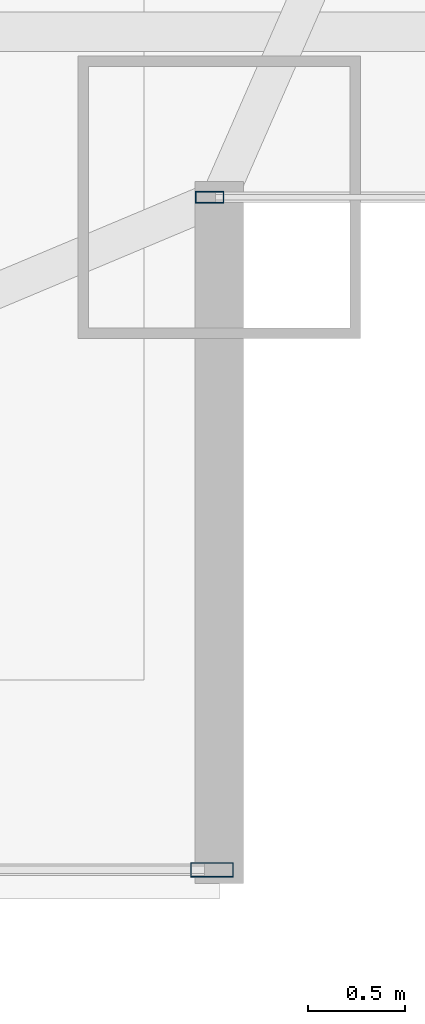
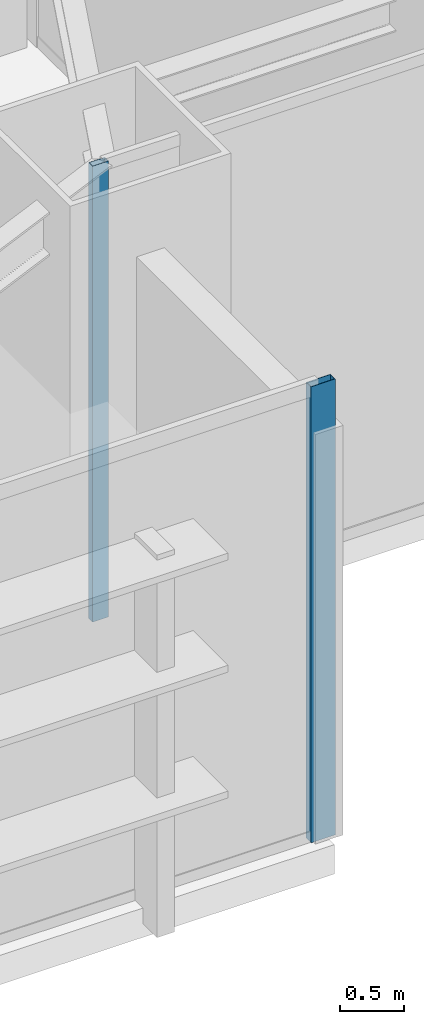
# One storey, part 17 of 32: 2 members, 2 elements without a shape of their own.
"""IFC4 building model written with IfcOpenShell, lengths in metres."""

from ifc_helpers import new_model, si_unit, direction, frame, origin, origin_2d, place, context, subcontext, project, spatial, hollow_rectangle, extrude, source, transform, mapped, material, layer, layer_set, material_profile, profile_set, type_object, type_shapes, element, aggregate, save


model = new_model("IFC4")

# Units and contexts
model_context = context("Model", 3, precision=1e-05, world=origin(), true_north=direction((0.0, 1.0)))
body_context = subcontext(model_context, "Body", "Model", "MODEL_VIEW")
ifc_project = project(units=[si_unit("LENGTHUNIT", "METRE"), si_unit("AREAUNIT", "SQUARE_METRE"), si_unit("VOLUMEUNIT", "CUBIC_METRE"), si_unit("PLANEANGLEUNIT", "RADIAN"), si_unit("MASSUNIT", "GRAM", prefix="KILO")], contexts=[model_context])

# Site, building, storey
site_placement = place(None, origin())
site = spatial("IfcSite", under=ifc_project, at=site_placement, CompositionType="ELEMENT")
building_placement = place(site_placement, origin())
building = spatial("IfcBuilding", under=site, at=building_placement, Name="Varnel Quay Broadcast Tower", CompositionType="ELEMENT")
storey_placement = place(building_placement, frame((0.0, 0.0, 98.39990234375)))
storey = spatial("IfcBuildingStorey", under=building, at=storey_placement, Name="L23", CompositionType="ELEMENT", Elevation=98.39990234375)

# Curtain wall, member
ifc_material = material(Name="Anodised Bronze Aluminium 6063-T6", Category="aluminium")
ifc_layer_1 = layer(ifc_material, 0.18994140625, Name="Anodised Bronze Aluminium 6063-T6")
ifc_layer_set_1 = layer_set([ifc_layer_1], Name="Anodised Bronze Aluminium 6063-T6")
curtain_wall_type_1 = type_object("IfcCurtainWallType", Name="CW_SkyObsHighVis", PredefinedType="NOTDEFINED", material=ifc_layer_set_1)
curtain_wall_1_placement = place(storey_placement, origin())
curtain_wall_1 = element("IfcCurtainWall", 1, at=curtain_wall_1_placement, inside=storey, type_object=curtain_wall_type_1, Name="L23 South Unitised Curtain Wall 1", PredefinedType="NOTDEFINED")
ifc_material_profile_1 = material_profile(ifc_material, hollow_rectangle(XDim=0.074951171875, YDim=0.219970703125, WallThickness=0.00390625, at=origin_2d()), Name="ALU75X220X4")
ifc_profile_set_1 = profile_set([ifc_material_profile_1], Name="Anodised Bronze Aluminium 6063-T6")
member_type_1 = type_object("IfcMemberType", Name="Mull_CWS-05", PredefinedType="MULLION", material=ifc_profile_set_1)
shared_shape_1 = source(origin(), body_context, "Body", "SweptSolid", [
    extrude(hollow_rectangle(XDim=0.074951171875, YDim=0.219970703125, WallThickness=0.00390625, at=origin_2d()), origin(), (0.0, 0.0, 1.0), 4.35009765625),
])
type_shapes(member_type_1, [shared_shape_1])
member_1_placement = place(storey_placement, frame((59.862548828125, 4.35009765625, 0.0), z_axis=(0.0, 0.0, 1.0), x_axis=(0.0, 1.0, 0.0)))
member_1 = element("IfcMember", 2, at=member_1_placement, type_object=member_type_1, Name="CWS-05 mullion 8", PredefinedType="MULLION", context=body_context, shape_type="MappedRepresentation", body=[
    mapped(shared_shape_1, transform((0.0, 0.0, 0.0), x_axis=(1.0, 0.0, 0.0), y_axis=(0.0, 1.0, 0.0), z_axis=(0.0, 0.0, 1.0), scale=1.0)),
])
aggregate(curtain_wall_1, [member_1])

ifc_layer_2 = layer(ifc_material, 0.18994140625, Name="Anodised Bronze Aluminium 6063-T6")
ifc_layer_set_2 = layer_set([ifc_layer_2], Name="Anodised Bronze Aluminium 6063-T6")
curtain_wall_type_2 = type_object("IfcCurtainWallType", Name="CW_NotchCorner", PredefinedType="NOTDEFINED", material=ifc_layer_set_2)
curtain_wall_2_placement = place(storey_placement, origin())
curtain_wall_2 = element("IfcCurtainWall", 3, at=curtain_wall_2_placement, inside=storey, type_object=curtain_wall_type_2, Name="L23 SE Notch Curtain Wall", PredefinedType="NOTDEFINED")
ifc_material_profile_2 = material_profile(ifc_material, hollow_rectangle(XDim=0.06005859375, YDim=0.14501953125, WallThickness=0.00341796875, at=origin_2d()), Name="ALU60X145X3.5")
ifc_profile_set_2 = profile_set([ifc_material_profile_2], Name="Anodised Bronze Aluminium 6063-T6")
member_type_2 = type_object("IfcMemberType", Name="Mull_CWS-04", PredefinedType="MULLION", material=ifc_profile_set_2)
shared_shape_2 = source(origin(), body_context, "Body", "SweptSolid", [
    extrude(hollow_rectangle(XDim=0.06005859375, YDim=0.14501953125, WallThickness=0.00341796875, at=origin_2d()), origin(), (0.0, 0.0, 1.0), 4.35009765625),
])
type_shapes(member_type_2, [shared_shape_2])
member_2_placement = place(storey_placement, frame((59.85009765625, 7.800048828125, 0.0), z_axis=(0.0, 0.0, 1.0), x_axis=(0.0, 1.0, 0.0)))
member_2 = element("IfcMember", 4, at=member_2_placement, type_object=member_type_2, Name="CWS-04 mullion 1", PredefinedType="MULLION", context=body_context, shape_type="MappedRepresentation", body=[
    mapped(shared_shape_2, transform((0.0, 0.0, 0.0), x_axis=(1.0, 0.0, 0.0), y_axis=(0.0, 1.0, 0.0), z_axis=(0.0, 0.0, 1.0), scale=1.0)),
])
aggregate(curtain_wall_2, [member_2])

save(model, "model.ifc")
